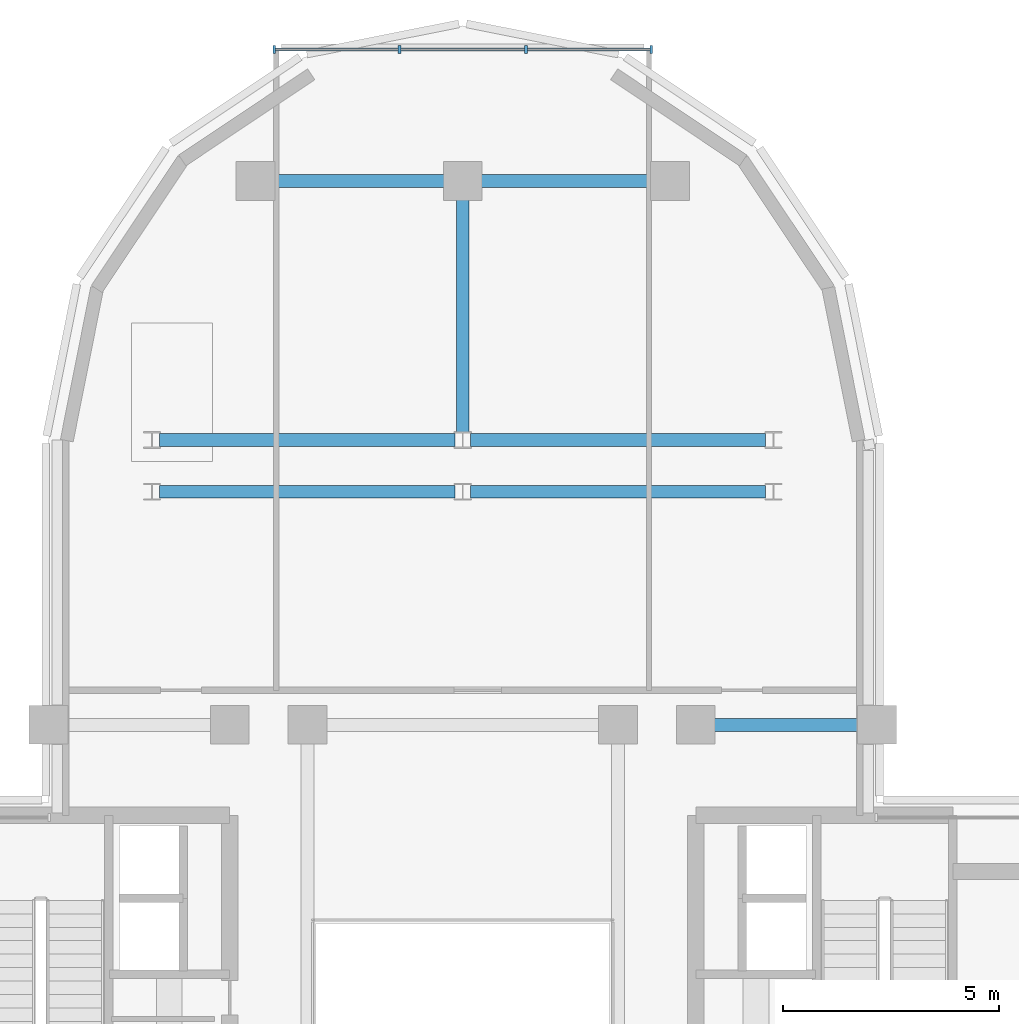
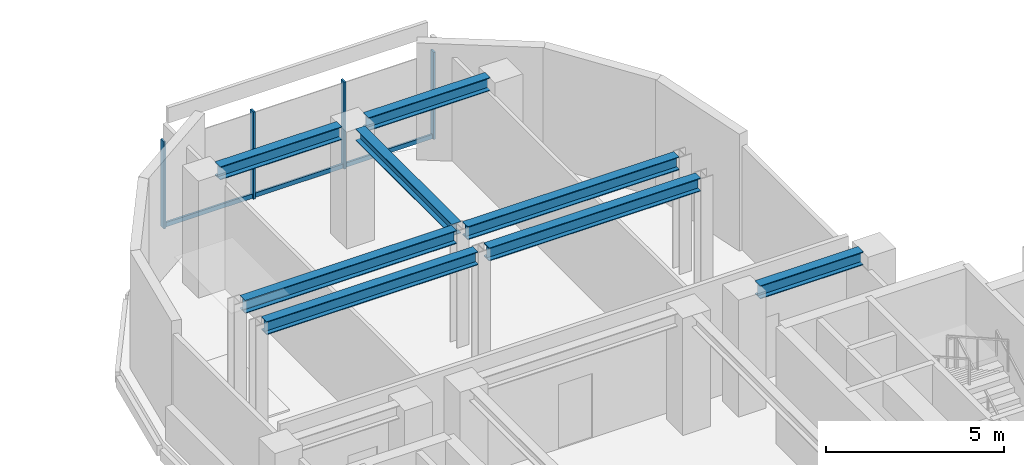
# One storey, part 4 of 12: 8 beams, 7 members, 1 element without a shape of its own.
"""IFC4 building model written with IfcOpenShell, lengths in metres."""

from ifc_helpers import new_model, si_unit, direction, frame, origin, origin_2d, place, context, subcontext, project, spatial, rectangle, i_section, extrude, source, transform, mapped, material, material_profile, profile_set, type_object, element, aggregate, save


model = new_model("IFC4")

# Units and contexts
model_context = context("Model", 3, precision=1e-05, world=origin(), true_north=direction((0.0, 1.0)))
body_context = subcontext(model_context, "Body", "Model", "MODEL_VIEW")
ifc_project = project(units=[si_unit("LENGTHUNIT", "METRE"), si_unit("AREAUNIT", "SQUARE_METRE"), si_unit("VOLUMEUNIT", "CUBIC_METRE"), si_unit("PLANEANGLEUNIT", "RADIAN"), si_unit("MASSUNIT", "GRAM", prefix="KILO")], contexts=[model_context])

# Site, building, storey
site_placement = place(None, origin())
site = spatial("IfcSite", under=ifc_project, at=site_placement, CompositionType="ELEMENT")
building_placement = place(site_placement, origin())
building = spatial("IfcBuilding", under=site, at=building_placement, Name="Keilestroom Media Tower", CompositionType="ELEMENT")
storey_placement = place(building_placement, frame((0.0, 0.0, 156.199951171875)))
storey = spatial("IfcBuildingStorey", under=building, at=storey_placement, Name="L42", CompositionType="ELEMENT", Elevation=156.199951171875)

# Beams
ifc_material_1 = material(Name="Steel S355", Category="steel")
ifc_material_profile_1 = material_profile(ifc_material_1, i_section(OverallWidth=0.300048828125, OverallDepth=0.449951171875, WebThickness=0.011962890625, FlangeThickness=0.02587890625, at=origin_2d()), Name="HEB 450")
ifc_profile_set_1 = profile_set([ifc_material_profile_1], Name="Steel S355")
beam_type_1 = type_object("IfcBeamType", Name="Primary-Structural-Girder-HEB-450", PredefinedType="BEAM", material=ifc_profile_set_1)
shared_shape_1 = source(origin(), body_context, "Body", "SweptSolid", [
    extrude(i_section(OverallWidth=0.300048828125, OverallDepth=0.449951171875, WebThickness=0.011962890625, FlangeThickness=0.02587890625, at=origin_2d()), origin(), (0.0, 0.0, 1.0), 3.940185546875),
])
for number, where, z_axis, x_axis, name in (
    (1, (-4.3701171875, 21.60009765625, 3.775146484375), (1.0, 0.0, 0.0), (0.0, 1.0, 0.0), "L42 Beam BG-7 BM-L42-EW-029"),
    (2, (0.429931640625, 21.60009765625, 3.775146484375), (1.0, 0.0, 0.0), (0.0, 1.0, 0.0), "L42 Beam BG-7 BM-L42-EW-030"),
):
    element("IfcBeam", number, at=place(storey_placement, frame(where, z_axis=z_axis, x_axis=x_axis)), inside=storey, type_object=beam_type_1, Name=name, PredefinedType="BEAM", context=body_context, shape_type="MappedRepresentation", body=[
        mapped(shared_shape_1, transform((0.0, 0.0, 0.0), x_axis=(1.0, 0.0, 0.0), y_axis=(0.0, 1.0, 0.0), z_axis=(0.0, 0.0, 1.0), scale=1.0)),
    ])
shared_shape_2 = source(origin(), body_context, "Body", "SweptSolid", [
    extrude(i_section(OverallWidth=0.300048828125, OverallDepth=0.449951171875, WebThickness=0.011962890625, FlangeThickness=0.02587890625, at=origin_2d()), origin(), (0.0, 0.0, 1.0), 6.842041015625),
])
for number, where, z_axis, x_axis, name in (
    (3, (-7.02099609375, 14.39990234375, 3.775146484375), (1.0, 0.0, 0.0), (0.0, 1.0, 0.0), "L42 Beam BG-7 BM-L42-EW-025"),
    (4, (0.178955078125, 14.39990234375, 3.775146484375), (1.0, 0.0, 0.0), (0.0, 1.0, 0.0), "L42 Beam BG-7 BM-L42-EW-026"),
    (5, (-7.02099609375, 15.60009765625, 3.775146484375), (1.0, 0.0, 0.0), (0.0, 1.0, 0.0), "L42 Beam BG-7 BM-L42-EW-027"),
    (6, (0.178955078125, 15.60009765625, 3.775146484375), (1.0, 0.0, 0.0), (0.0, 1.0, 0.0), "L42 Beam BG-7 BM-L42-EW-028"),
):
    element("IfcBeam", number, at=place(storey_placement, frame(where, z_axis=z_axis, x_axis=x_axis)), inside=storey, type_object=beam_type_1, Name=name, PredefinedType="BEAM", context=body_context, shape_type="MappedRepresentation", body=[
        mapped(shared_shape_2, transform((0.0, 0.0, 0.0), x_axis=(1.0, 0.0, 0.0), y_axis=(0.0, 1.0, 0.0), z_axis=(0.0, 0.0, 1.0), scale=1.0)),
    ])
shared_shape_3 = source(origin(), body_context, "Body", "SweptSolid", [
    extrude(i_section(OverallWidth=0.300048828125, OverallDepth=0.449951171875, WebThickness=0.011962890625, FlangeThickness=0.02587890625, at=origin_2d()), origin(), (0.0, 0.0, 1.0), 3.33984375),
])
beam_1_placement = place(storey_placement, frame((5.830078125, 9.0, 3.775146484375), z_axis=(1.0, 0.0, 0.0), x_axis=(0.0, 1.0, 0.0)))
element("IfcBeam", 7, at=beam_1_placement, inside=storey, type_object=beam_type_1, Name="L42 Beam BG-7 BM-L42-EW-024", PredefinedType="BEAM", context=body_context, shape_type="MappedRepresentation", body=[
    mapped(shared_shape_3, transform((0.0, 0.0, 0.0), x_axis=(1.0, 0.0, 0.0), y_axis=(0.0, 1.0, 0.0), z_axis=(0.0, 0.0, 1.0), scale=1.0)),
])
ifc_material_profile_2 = material_profile(ifc_material_1, i_section(OverallWidth=0.300048828125, OverallDepth=0.39990234375, WebThickness=0.011474609375, FlangeThickness=0.02392578125, at=origin_2d()), Name="HEB 400")
ifc_profile_set_2 = profile_set([ifc_material_profile_2], Name="Steel S355")
beam_type_2 = type_object("IfcBeamType", Name="Primary-Structural-Girder-HEB-400", PredefinedType="BEAM", material=ifc_profile_set_2)
shared_shape_4 = source(origin(), body_context, "Body", "SweptSolid", [
    extrude(i_section(OverallWidth=0.300048828125, OverallDepth=0.39990234375, WebThickness=0.011474609375, FlangeThickness=0.02392578125, at=origin_2d()), origin(), (0.0, 0.0, 1.0), 5.396484375),
])
beam_2_placement = place(storey_placement, frame((0.0, 15.7734375, 3.800048828125), z_axis=(0.0, 1.0, 0.0), x_axis=(-1.0, 0.0, 0.0)))
element("IfcBeam", 8, at=beam_2_placement, inside=storey, type_object=beam_type_2, Name="L42 Beam BG-8 BM-L42-NS-044", PredefinedType="BEAM", context=body_context, shape_type="MappedRepresentation", body=[
    mapped(shared_shape_4, transform((0.0, 0.0, 0.0), x_axis=(1.0, 0.0, 0.0), y_axis=(0.0, 1.0, 0.0), z_axis=(0.0, 0.0, 1.0), scale=1.0)),
])

# Curtain wall, members
ifc_material_2 = material(Name="Anodised Aluminium Alloy", Category="aluminium")
curtain_wall_type = type_object("IfcCurtainWallType", Name="Unitised-Curtain-Wall-CW-6", PredefinedType="NOTDEFINED", material=ifc_material_2)
curtain_wall_placement = place(storey_placement, origin())
curtain_wall = element("IfcCurtainWall", 9, at=curtain_wall_placement, inside=storey, type_object=curtain_wall_type, Name="L42 Curtain Wall CW-6 CW-L42-LN-1", PredefinedType="NOTDEFINED")
ifc_material_profile_3 = material_profile(ifc_material_2, rectangle(XDim=0.06494140625, YDim=0.179931640625, at=origin_2d()), Name="ALU MULLION 65x180")
ifc_profile_set_3 = profile_set([ifc_material_profile_3], Name="Anodised Aluminium Alloy")
member_type_1 = type_object("IfcMemberType", Name="Curtain-Wall-Mullion-CW-6", PredefinedType="MULLION", material=ifc_profile_set_3)
shared_shape_5 = source(origin(), body_context, "Body", "SweptSolid", [
    extrude(rectangle(XDim=0.06494140625, YDim=0.179931640625, at=origin_2d()), origin(), (0.0, 0.0, 1.0), 2.97998046875),
])
member_1_placement = place(storey_placement, frame((-4.367431640625, 24.64990234375, 0.0), z_axis=(0.0, 0.0, 1.0), x_axis=(1.0, 0.0, 0.0)))
member_1 = element("IfcMember", 10, at=member_1_placement, type_object=member_type_1, Name="CW-6 Mullion 00", PredefinedType="MULLION", context=body_context, shape_type="MappedRepresentation", body=[
    mapped(shared_shape_5, transform((0.0, 0.0, 0.0), x_axis=(1.0, 0.0, 0.0), y_axis=(0.0, 1.0, 0.0), z_axis=(0.0, 0.0, 1.0), scale=1.0)),
])
member_2_placement = place(storey_placement, frame((-1.466796875, 24.64990234375, 0.0), z_axis=(0.0, 0.0, 1.0), x_axis=(1.0, 0.0, 0.0)))
member_2 = element("IfcMember", 11, at=member_2_placement, type_object=member_type_1, Name="CW-6 Mullion 01", PredefinedType="MULLION", context=body_context, shape_type="MappedRepresentation", body=[
    mapped(shared_shape_5, transform((0.0, 0.0, 0.0), x_axis=(1.0, 0.0, 0.0), y_axis=(0.0, 1.0, 0.0), z_axis=(0.0, 0.0, 1.0), scale=1.0)),
])
member_3_placement = place(storey_placement, frame((1.466796875, 24.64990234375, 0.0), z_axis=(0.0, 0.0, 1.0), x_axis=(1.0, 0.0, 0.0)))
member_3 = element("IfcMember", 12, at=member_3_placement, type_object=member_type_1, Name="CW-6 Mullion 02", PredefinedType="MULLION", context=body_context, shape_type="MappedRepresentation", body=[
    mapped(shared_shape_5, transform((0.0, 0.0, 0.0), x_axis=(1.0, 0.0, 0.0), y_axis=(0.0, 1.0, 0.0), z_axis=(0.0, 0.0, 1.0), scale=1.0)),
])
member_4_placement = place(storey_placement, frame((4.367431640625, 24.64990234375, 0.0), z_axis=(0.0, 0.0, 1.0), x_axis=(1.0, 0.0, 0.0)))
member_4 = element("IfcMember", 13, at=member_4_placement, type_object=member_type_1, Name="CW-6 Mullion 03", PredefinedType="MULLION", context=body_context, shape_type="MappedRepresentation", body=[
    mapped(shared_shape_5, transform((0.0, 0.0, 0.0), x_axis=(1.0, 0.0, 0.0), y_axis=(0.0, 1.0, 0.0), z_axis=(0.0, 0.0, 1.0), scale=1.0)),
])
ifc_material_profile_4 = material_profile(ifc_material_2, rectangle(XDim=0.06494140625, YDim=0.14990234375, at=origin_2d()), Name="ALU TRANSOM 65x150")
ifc_profile_set_4 = profile_set([ifc_material_profile_4], Name="Anodised Aluminium Alloy")
member_type_2 = type_object("IfcMemberType", Name="Curtain-Wall-Transom-CW-6", PredefinedType="USERDEFINED", material=ifc_profile_set_4)
shared_shape_6 = source(origin(), body_context, "Body", "SweptSolid", [
    extrude(rectangle(XDim=0.06494140625, YDim=0.14990234375, at=origin_2d()), origin(), (0.0, 0.0, 1.0), 2.839599609375),
])
member_5_placement = place(storey_placement, frame((-4.3369140625, 24.64990234375, 0.074951171875), z_axis=(1.0, 0.0, 0.0), x_axis=(0.0, 1.0, 0.0)))
member_5 = element("IfcMember", 14, at=member_5_placement, type_object=member_type_2, Name="CW-6 Transom 00.1", ObjectType="TRANSOM", PredefinedType="USERDEFINED", context=body_context, shape_type="MappedRepresentation", body=[
    mapped(shared_shape_6, transform((0.0, 0.0, 0.0), x_axis=(1.0, 0.0, 0.0), y_axis=(0.0, 1.0, 0.0), z_axis=(0.0, 0.0, 1.0), scale=1.0)),
])
member_6_placement = place(storey_placement, frame((1.497314453125, 24.64990234375, 0.074951171875), z_axis=(1.0, 0.0, 0.0), x_axis=(0.0, 1.0, 0.0)))
member_6 = element("IfcMember", 15, at=member_6_placement, type_object=member_type_2, Name="CW-6 Transom 02.1", ObjectType="TRANSOM", PredefinedType="USERDEFINED", context=body_context, shape_type="MappedRepresentation", body=[
    mapped(shared_shape_6, transform((0.0, 0.0, 0.0), x_axis=(1.0, 0.0, 0.0), y_axis=(0.0, 1.0, 0.0), z_axis=(0.0, 0.0, 1.0), scale=1.0)),
])
shared_shape_7 = source(origin(), body_context, "Body", "SweptSolid", [
    extrude(rectangle(XDim=0.06494140625, YDim=0.14990234375, at=origin_2d()), origin(), (0.0, 0.0, 1.0), 2.87255859375),
])
member_7_placement = place(storey_placement, frame((-1.436279296875, 24.64990234375, 0.074951171875), z_axis=(1.0, 0.0, 0.0), x_axis=(0.0, 1.0, 0.0)))
member_7 = element("IfcMember", 16, at=member_7_placement, type_object=member_type_2, Name="CW-6 Transom 01.1", ObjectType="TRANSOM", PredefinedType="USERDEFINED", context=body_context, shape_type="MappedRepresentation", body=[
    mapped(shared_shape_7, transform((0.0, 0.0, 0.0), x_axis=(1.0, 0.0, 0.0), y_axis=(0.0, 1.0, 0.0), z_axis=(0.0, 0.0, 1.0), scale=1.0)),
])
aggregate(curtain_wall, [member_1, member_2, member_3, member_4, member_5, member_7, member_6])

save(model, "model.ifc")
